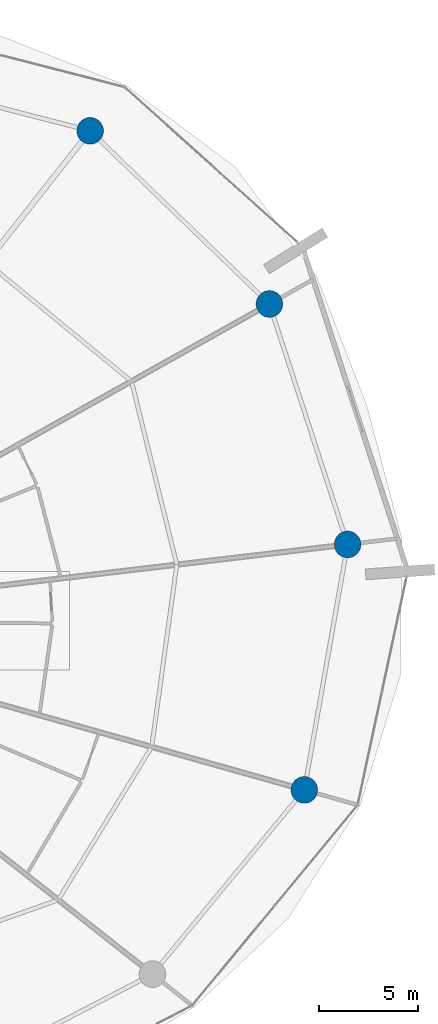
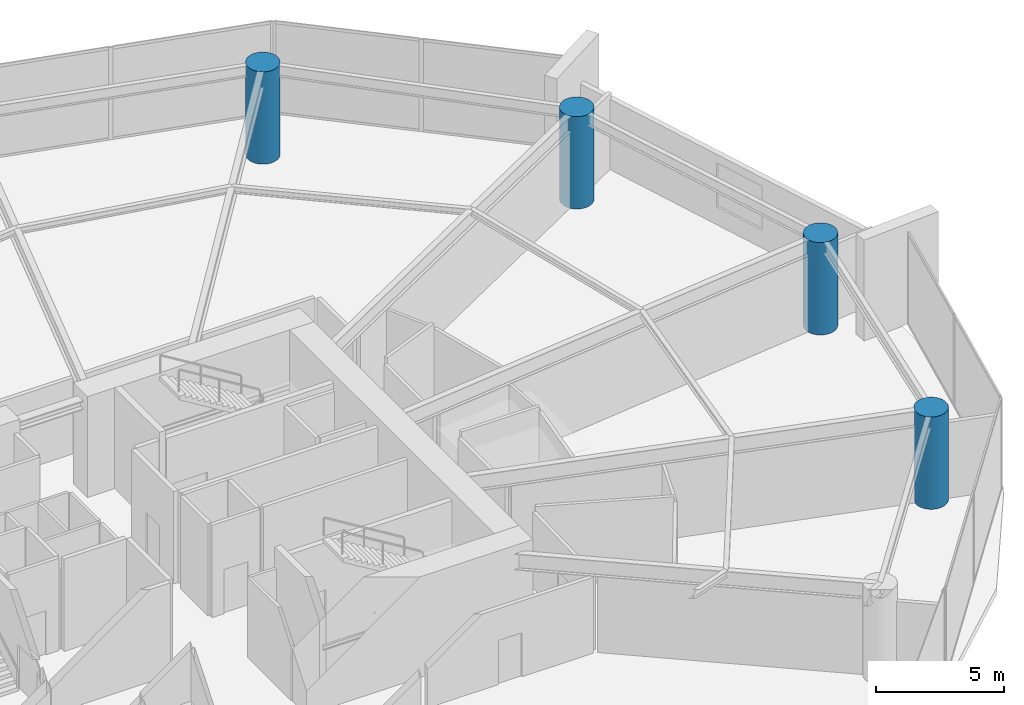
# One storey, part 6 of 22: 4 columns.
"""IFC4 building model written with IfcOpenShell, lengths in metres."""

from ifc_helpers import new_model, si_unit, direction, frame, origin, origin_2d, place, context, subcontext, project, spatial, circle, extrude, material, material_profile, profile_set, type_object, element, save


model = new_model("IFC4")

# Units and contexts
model_context = context("Model", 3, precision=1e-05, world=origin(), true_north=direction((0.0, 1.0)))
body_context = subcontext(model_context, "Body", "Model", "MODEL_VIEW")
ifc_project = project(units=[si_unit("LENGTHUNIT", "METRE"), si_unit("AREAUNIT", "SQUARE_METRE"), si_unit("VOLUMEUNIT", "CUBIC_METRE"), si_unit("PLANEANGLEUNIT", "RADIAN"), si_unit("MASSUNIT", "GRAM", prefix="KILO")], contexts=[model_context])

# Site, building, storey
site_placement = place(None, origin())
site = spatial("IfcSite", under=ifc_project, at=site_placement, CompositionType="ELEMENT")
building_placement = place(site_placement, origin())
building = spatial("IfcBuilding", under=site, at=building_placement, Name="Kazma Halo Residences", CompositionType="ELEMENT")
storey_placement = place(building_placement, frame((0.0, 0.0, 16.800048828125)))
storey = spatial("IfcBuildingStorey", under=building, at=storey_placement, Name="L03", CompositionType="ELEMENT", Elevation=16.800048828125)

# Columns
ifc_material = material(Name="Concrete C80/95", Category="concrete")
ifc_material_profile = material_profile(ifc_material, circle(Radius=0.675048828125, at=origin_2d()), Name="CIRC1350")
ifc_profile_set = profile_set([ifc_material_profile], Name="Concrete C80/95")
column_type = type_object("IfcColumnType", Name="COL-PERIM-1350", PredefinedType="COLUMN", material=ifc_profile_set)
for number, where, z_axis, x_axis, name in (
    (1, (76.6328125, 58.03515625, 0.0), (0.0, 0.0, 1.0), (1.0, 0.0, 0.0), "L03 perimeter ring column P01"),
    (2, (67.55322265625, 66.80322265625, 0.0), (0.0, 0.0, 1.0), (1.0, 0.0, 0.0), "L03 perimeter ring column P02"),
    (3, (78.397705078125, 33.427001953125, 0.0), (0.0, 0.0, 1.0), (1.0, 0.0, 0.0), "L03 perimeter ring column P15"),
    (4, (80.589599609375, 45.857177734375, 0.0), (0.0, 0.0, 1.0), (1.0, 0.0, 0.0), "L03 perimeter ring column P16"),
):
    element("IfcColumn", number, at=place(storey_placement, frame(where, z_axis=z_axis, x_axis=x_axis)), inside=storey, type_object=column_type, Name=name, PredefinedType="COLUMN", context=body_context, shape_type="SweptSolid", body=[
        extrude(circle(Radius=0.675048828125, at=origin_2d()), origin(), (0.0, 0.0, 1.0), 4.39990234375),
    ])

save(model, "model.ifc")
